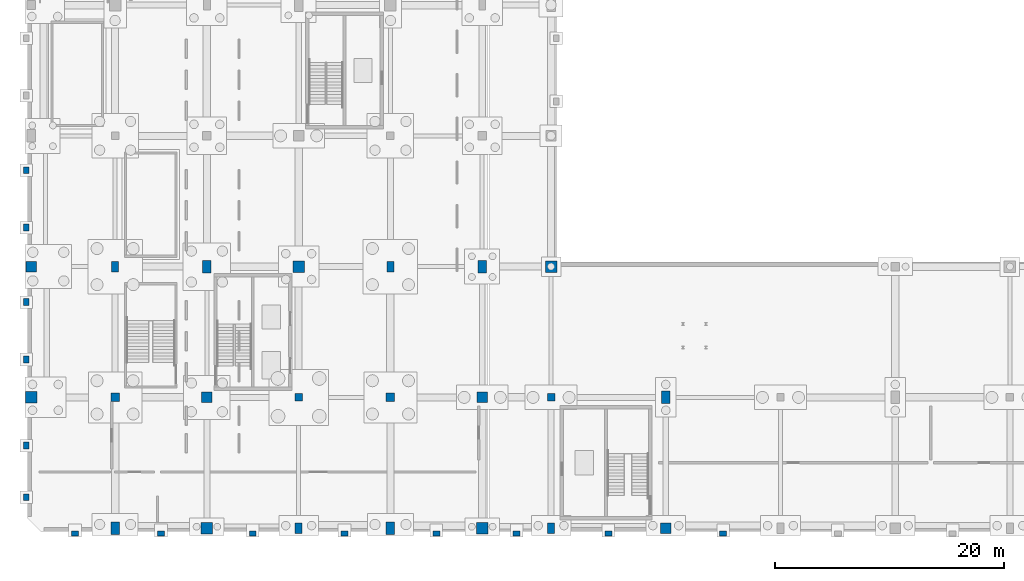
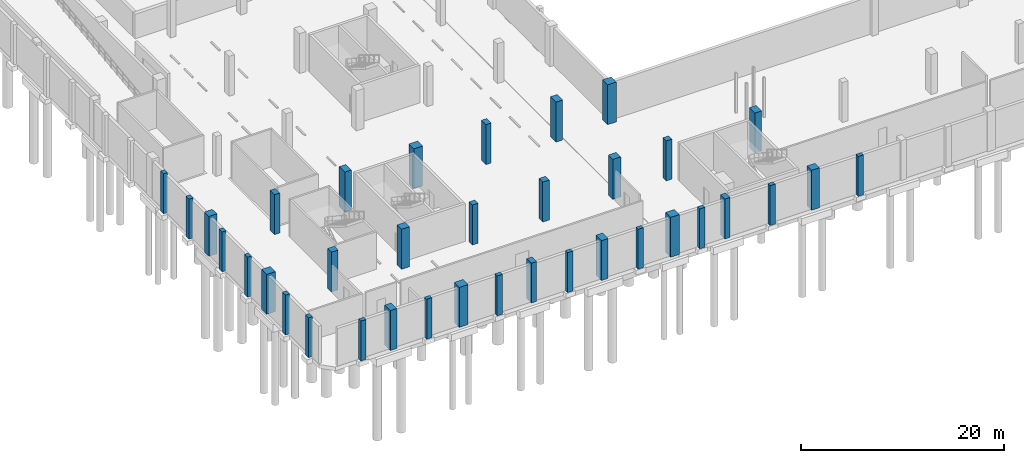
# One storey, part 11 of 34: 36 columns.
"""IFC4 building model written with IfcOpenShell, lengths in metres."""

from ifc_helpers import new_model, si_unit, direction, frame, origin, origin_2d, place, context, subcontext, project, spatial, rectangle, extrude, material, material_profile, profile_set, type_object, element, save


model = new_model("IFC4")

# Units and contexts
model_context = context("Model", 3, precision=1e-05, world=origin(), true_north=direction((0.0, 1.0)))
body_context = subcontext(model_context, "Body", "Model", "MODEL_VIEW")
ifc_project = project(units=[si_unit("LENGTHUNIT", "METRE"), si_unit("AREAUNIT", "SQUARE_METRE"), si_unit("VOLUMEUNIT", "CUBIC_METRE"), si_unit("PLANEANGLEUNIT", "RADIAN"), si_unit("MASSUNIT", "GRAM", prefix="KILO"), si_unit("POWERUNIT", "WATT"), si_unit("THERMODYNAMICTEMPERATUREUNIT", "KELVIN")], contexts=[model_context])

# Site, building, storey
site_placement = place(None, origin())
site = spatial("IfcSite", under=ifc_project, at=site_placement, CompositionType="ELEMENT")
building_placement = place(site_placement, origin())
building = spatial("IfcBuilding", under=site, at=building_placement, Name="Kelmbourne Parkland Aquatics Centre", CompositionType="ELEMENT")
storey_placement = place(building_placement, frame((0.0, 0.0, -4.800048828125)))
storey = spatial("IfcBuildingStorey", under=building, at=storey_placement, Name="B1", CompositionType="ELEMENT", Elevation=-4.800048828125)

# Columns
ifc_material_1 = material(Name="Concrete C40/50", Category="concrete")
ifc_material_profile_1 = material_profile(ifc_material_1, rectangle(XDim=1.0, YDim=1.0, at=origin_2d()), Name="RC 1000x1000")
ifc_profile_set_1 = profile_set([ifc_material_profile_1], Name="Concrete C40/50")
column_type_1 = type_object("IfcColumnType", Name="COL-C01", PredefinedType="COLUMN", material=ifc_profile_set_1)
for number, where, z_axis, x_axis, name in (
    (1, (0.699951171875, 12.199951171875, 0.0), (0.0, 0.0, 1.0), (1.0, 0.0, 0.0), "Structural column A-03 (B1)"),
    (2, (16.0, 0.800048828125, 0.0), (0.0, 0.0, 1.0), (1.0, 0.0, 0.0), "Structural column C-01 (B1)"),
    (3, (24.0, 23.60009765625, 0.0), (0.0, 0.0, 1.0), (1.0, 0.0, 0.0), "Structural column D-04 (B1)"),
    (4, (40.0, 0.800048828125, 0.0), (0.0, 0.0, 1.0), (1.0, 0.0, 0.0), "Structural column F-01 (B1)"),
    (5, (46.0, 23.60009765625, 0.0), (0.0, 0.0, 1.0), (1.0, 0.0, 0.0), "Structural column G-04 (B1)"),
):
    element("IfcColumn", number, at=place(storey_placement, frame(where, z_axis=z_axis, x_axis=x_axis)), inside=storey, type_object=column_type_1, Name=name, PredefinedType="COLUMN", context=body_context, shape_type="SweptSolid", body=[
        extrude(rectangle(XDim=1.0, YDim=1.0, at=origin_2d()), origin(), (0.0, 0.0, 1.0), 4.800048828125),
    ])
ifc_material_profile_2 = material_profile(ifc_material_1, rectangle(XDim=0.89990234375, YDim=0.89990234375, at=origin_2d()), Name="RC 900x900")
ifc_profile_set_2 = profile_set([ifc_material_profile_2], Name="Concrete C40/50")
column_type_2 = type_object("IfcColumnType", Name="COL-C02", PredefinedType="COLUMN", material=ifc_profile_set_2)
for number, where, z_axis, x_axis, name in (
    (6, (0.699951171875, 23.60009765625, 0.0), (0.0, 0.0, 1.0), (1.0, 0.0, 0.0), "Structural column A-04 (B1)"),
    (7, (16.0, 12.199951171875, 0.0), (0.0, 0.0, 1.0), (1.0, 0.0, 0.0), "Structural column C-03 (B1)"),
    (8, (40.0, 12.199951171875, 0.0), (0.0, 0.0, 1.0), (1.0, 0.0, 0.0), "Structural column F-03 (B1)"),
    (9, (56.0, 0.800048828125, 0.0), (0.0, 0.0, 1.0), (1.0, 0.0, 0.0), "Structural column H-01 (B1)"),
):
    element("IfcColumn", number, at=place(storey_placement, frame(where, z_axis=z_axis, x_axis=x_axis)), inside=storey, type_object=column_type_2, Name=name, PredefinedType="COLUMN", context=body_context, shape_type="SweptSolid", body=[
        extrude(rectangle(XDim=0.89990234375, YDim=0.89990234375, at=origin_2d()), origin(), (0.0, 0.0, 1.0), 4.800048828125),
    ])
ifc_material_profile_3 = material_profile(ifc_material_1, rectangle(XDim=0.75, YDim=1.10009765625, at=origin_2d()), Name="RC 750x1100")
ifc_profile_set_3 = profile_set([ifc_material_profile_3], Name="Concrete C40/50")
column_type_3 = type_object("IfcColumnType", Name="COL-C03", PredefinedType="COLUMN", material=ifc_profile_set_3)
for number, where, z_axis, x_axis, name in (
    (10, (8.0, 0.800048828125, 0.0), (0.0, 0.0, 1.0), (1.0, 0.0, 0.0), "Structural column B-01 (B1)"),
    (11, (16.0, 23.60009765625, 0.0), (0.0, 0.0, 1.0), (1.0, 0.0, 0.0), "Structural column C-04 (B1)"),
    (12, (32.0, 0.800048828125, 0.0), (0.0, 0.0, 1.0), (1.0, 0.0, 0.0), "Structural column E-01 (B1)"),
    (13, (40.0, 23.60009765625, 0.0), (0.0, 0.0, 1.0), (1.0, 0.0, 0.0), "Structural column F-04 (B1)"),
    (14, (56.0, 12.199951171875, 0.0), (0.0, 0.0, 1.0), (1.0, 0.0, 0.0), "Structural column H-03 (B1)"),
):
    element("IfcColumn", number, at=place(storey_placement, frame(where, z_axis=z_axis, x_axis=x_axis)), inside=storey, type_object=column_type_3, Name=name, PredefinedType="COLUMN", context=body_context, shape_type="SweptSolid", body=[
        extrude(rectangle(XDim=0.75, YDim=1.10009765625, at=origin_2d()), origin(), (0.0, 0.0, 1.0), 4.800048828125),
    ])
ifc_material_profile_4 = material_profile(ifc_material_1, rectangle(XDim=0.75, YDim=0.75, at=origin_2d()), Name="RC 750x750")
ifc_profile_set_4 = profile_set([ifc_material_profile_4], Name="Concrete C40/50")
column_type_4 = type_object("IfcColumnType", Name="COL-C04", PredefinedType="COLUMN", material=ifc_profile_set_4)
for number, where, z_axis, x_axis, name in (
    (15, (8.0, 12.199951171875, 0.0), (0.0, 0.0, 1.0), (1.0, 0.0, 0.0), "Structural column B-03 (B1)"),
    (16, (32.0, 12.199951171875, 0.0), (0.0, 0.0, 1.0), (1.0, 0.0, 0.0), "Structural column E-03 (B1)"),
):
    element("IfcColumn", number, at=place(storey_placement, frame(where, z_axis=z_axis, x_axis=x_axis)), inside=storey, type_object=column_type_4, Name=name, PredefinedType="COLUMN", context=body_context, shape_type="SweptSolid", body=[
        extrude(rectangle(XDim=0.75, YDim=0.75, at=origin_2d()), origin(), (0.0, 0.0, 1.0), 4.800048828125),
    ])
ifc_material_profile_5 = material_profile(ifc_material_1, rectangle(XDim=0.60009765625, YDim=0.89990234375, at=origin_2d()), Name="RC 600x900")
ifc_profile_set_5 = profile_set([ifc_material_profile_5], Name="Concrete C40/50")
column_type_5 = type_object("IfcColumnType", Name="COL-C05", PredefinedType="COLUMN", material=ifc_profile_set_5)
for number, where, z_axis, x_axis, name in (
    (17, (8.0, 23.60009765625, 0.0), (0.0, 0.0, 1.0), (1.0, 0.0, 0.0), "Structural column B-04 (B1)"),
    (18, (24.0, 0.800048828125, 0.0), (0.0, 0.0, 1.0), (1.0, 0.0, 0.0), "Structural column D-01 (B1)"),
    (19, (32.0, 23.60009765625, 0.0), (0.0, 0.0, 1.0), (1.0, 0.0, 0.0), "Structural column E-04 (B1)"),
    (20, (46.0, 0.800048828125, 0.0), (0.0, 0.0, 1.0), (1.0, 0.0, 0.0), "Structural column G-01 (B1)"),
):
    element("IfcColumn", number, at=place(storey_placement, frame(where, z_axis=z_axis, x_axis=x_axis)), inside=storey, type_object=column_type_5, Name=name, PredefinedType="COLUMN", context=body_context, shape_type="SweptSolid", body=[
        extrude(rectangle(XDim=0.60009765625, YDim=0.89990234375, at=origin_2d()), origin(), (0.0, 0.0, 1.0), 4.800048828125),
    ])
ifc_material_profile_6 = material_profile(ifc_material_1, rectangle(XDim=0.64990234375, YDim=0.64990234375, at=origin_2d()), Name="RC 650x650")
ifc_profile_set_6 = profile_set([ifc_material_profile_6], Name="Concrete C40/50")
column_type_6 = type_object("IfcColumnType", Name="COL-C06", PredefinedType="COLUMN", material=ifc_profile_set_6)
for number, where, z_axis, x_axis, name in (
    (21, (24.0, 12.199951171875, 0.0), (0.0, 0.0, 1.0), (1.0, 0.0, 0.0), "Structural column D-03 (B1)"),
    (22, (46.0, 12.199951171875, 0.0), (0.0, 0.0, 1.0), (1.0, 0.0, 0.0), "Structural column G-03 (B1)"),
):
    element("IfcColumn", number, at=place(storey_placement, frame(where, z_axis=z_axis, x_axis=x_axis)), inside=storey, type_object=column_type_6, Name=name, PredefinedType="COLUMN", context=body_context, shape_type="SweptSolid", body=[
        extrude(rectangle(XDim=0.64990234375, YDim=0.64990234375, at=origin_2d()), origin(), (0.0, 0.0, 1.0), 4.800048828125),
    ])
ifc_material_2 = material(Name="Clay brick masonry AS 3700 M12", Category="masonry")
ifc_material_profile_7 = material_profile(ifc_material_2, rectangle(XDim=0.449951171875, YDim=0.60009765625, at=origin_2d()), Name="PIL 450x600")
ifc_profile_set_7 = profile_set([ifc_material_profile_7], Name="Clay brick masonry AS 3700 M12")
column_type_7 = type_object("IfcColumnType", Name="PIL-PL2", PredefinedType="PILASTER", material=ifc_profile_set_7)
for number, where, z_axis, x_axis, name in (
    (23, (0.260009765625, 3.5, 0.0), (0.0, 0.0, 1.0), (1.0, 0.0, 0.0), "Basement brick buttress pier W-001"),
    (24, (0.260009765625, 8.0, 0.0), (0.0, 0.0, 1.0), (1.0, 0.0, 0.0), "Basement brick buttress pier W-002"),
    (25, (0.260009765625, 15.5, 0.0), (0.0, 0.0, 1.0), (1.0, 0.0, 0.0), "Basement brick buttress pier W-003"),
    (26, (0.260009765625, 20.5, 0.0), (0.0, 0.0, 1.0), (1.0, 0.0, 0.0), "Basement brick buttress pier W-004"),
    (27, (0.260009765625, 27.0, 0.0), (0.0, 0.0, 1.0), (1.0, 0.0, 0.0), "Basement brick buttress pier W-005"),
    (28, (0.260009765625, 32.0, 0.0), (0.0, 0.0, 1.0), (1.0, 0.0, 0.0), "Basement brick buttress pier W-006"),
    (29, (4.5, 0.35009765625, 0.0), (0.0, 0.0, 1.0), (0.0, 1.0, 0.0), "Basement brick buttress pier S-019"),
    (30, (12.0, 0.35009765625, 0.0), (0.0, 0.0, 1.0), (0.0, 1.0, 0.0), "Basement brick buttress pier S-020"),
    (31, (20.0, 0.35009765625, 0.0), (0.0, 0.0, 1.0), (0.0, 1.0, 0.0), "Basement brick buttress pier S-021"),
    (32, (28.0, 0.35009765625, 0.0), (0.0, 0.0, 1.0), (0.0, 1.0, 0.0), "Basement brick buttress pier S-022"),
    (33, (36.0, 0.35009765625, 0.0), (0.0, 0.0, 1.0), (0.0, 1.0, 0.0), "Basement brick buttress pier S-023"),
    (34, (43.0, 0.35009765625, 0.0), (0.0, 0.0, 1.0), (0.0, 1.0, 0.0), "Basement brick buttress pier S-024"),
    (35, (51.0, 0.35009765625, 0.0), (0.0, 0.0, 1.0), (0.0, 1.0, 0.0), "Basement brick buttress pier S-025"),
    (36, (61.0, 0.35009765625, 0.0), (0.0, 0.0, 1.0), (0.0, 1.0, 0.0), "Basement brick buttress pier S-026"),
):
    element("IfcColumn", number, at=place(storey_placement, frame(where, z_axis=z_axis, x_axis=x_axis)), inside=storey, type_object=column_type_7, Name=name, PredefinedType="PILASTER", context=body_context, shape_type="SweptSolid", body=[
        extrude(rectangle(XDim=0.449951171875, YDim=0.60009765625, at=origin_2d()), origin(), (0.0, 0.0, 1.0), 4.800048828125),
    ])

save(model, "model.ifc")
